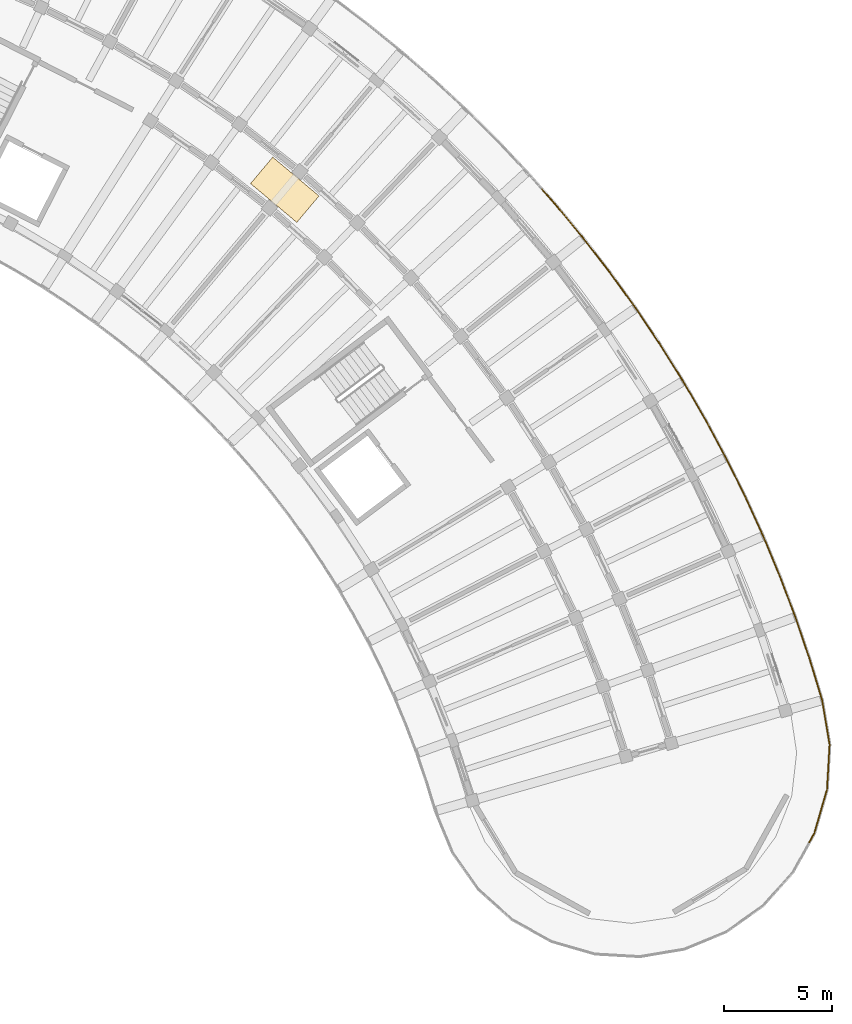
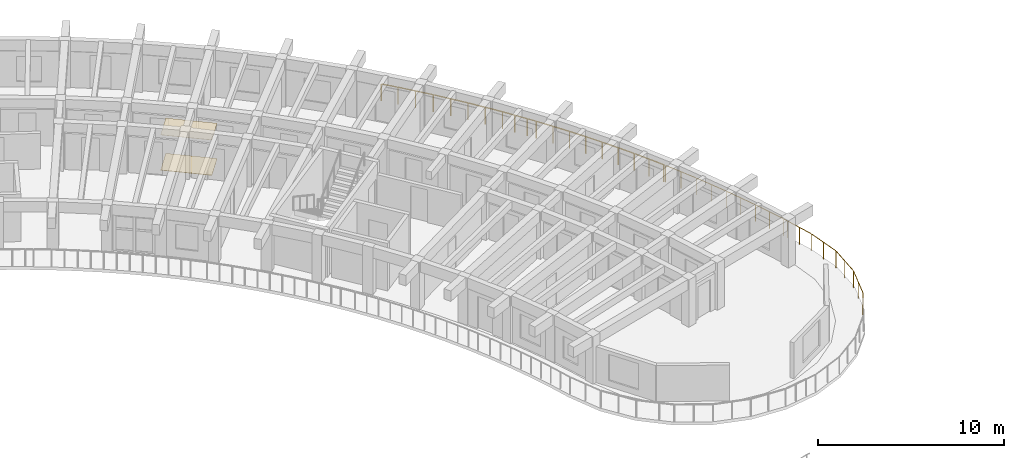
# One storey, part 79 of 81: 4 railings, 2 coverings.
"""IFC4 building model written with IfcOpenShell, lengths in metres."""

from ifc_helpers import new_model, si_unit, direction, frame, origin, origin_2d, place, context, subcontext, project, spatial, rectangle, circle, extrude, material, layer, layer_set, type_object, element, save


model = new_model("IFC4")

# Units and contexts
model_context = context("Model", 3, precision=1e-05, world=origin(), true_north=direction((0.0, 1.0)))
body_context = subcontext(model_context, "Body", "Model", "MODEL_VIEW")
ifc_project = project(units=[si_unit("LENGTHUNIT", "METRE"), si_unit("AREAUNIT", "SQUARE_METRE"), si_unit("VOLUMEUNIT", "CUBIC_METRE"), si_unit("PLANEANGLEUNIT", "RADIAN"), si_unit("MASSUNIT", "GRAM", prefix="KILO")], contexts=[model_context])

# Site, building, storey
site_placement = place(None, origin())
site = spatial("IfcSite", under=ifc_project, at=site_placement, CompositionType="ELEMENT")
building_placement = place(site_placement, origin())
building = spatial("IfcBuilding", under=site, at=building_placement, Name="Tanwirah Colonnade Gardens", CompositionType="ELEMENT")
storey_placement = place(building_placement, frame((0.0, 0.0, 8.840087890625)))
storey = spatial("IfcBuildingStorey", under=building, at=storey_placement, Name="L02", CompositionType="ELEMENT", Elevation=8.840087890625)

# Railings
ifc_material_1 = material(Name="Precast concrete C40/50", Category="concrete")
railing_type = type_object("IfcRailingType", Name="BAL-EXT112", PredefinedType="BALUSTRADE", material=ifc_material_1)
railing_1_placement = place(storey_placement, frame((166.9609375, 100.77978515625, 0.0)))
element("IfcRailing", 1, at=railing_1_placement, inside=storey, type_object=railing_type, Name="Block B L02 Balcony Ribbon Balustrade 16", PredefinedType="BALUSTRADE", context=body_context, shape_type="SweptSolid", body=[
    extrude(circle(Radius=0.02392578125, at=origin_2d()), frame((0.020751953125, -0.0234375, 1.09619140625), z_axis=(0.662540558748, -0.74902603961, 0.0), x_axis=(0.74902603961, 0.662540558748, 0.0)), (0.0, 0.0, 1.0), 0.885986328125),
    extrude(circle(Radius=0.02392578125, at=origin_2d()), frame((0.6484375, -0.734619140625, 1.09619140625), z_axis=(0.637555355491, -0.770404548717, 0.0), x_axis=(0.770404548717, 0.637555355491, 0.0)), (0.0, 0.0, 1.0), 1.958984375),
    extrude(circle(Radius=0.02392578125, at=origin_2d()), frame((1.936279296875, -2.29248046875, 1.09619140625), z_axis=(0.611856467608, -0.790968812942, 0.0), x_axis=(0.790968812942, 0.611856467608, 0.0)), (0.0, 0.0, 1.0), 1.958984375),
    extrude(circle(Radius=0.02392578125, at=origin_2d()), frame((3.17236328125, -3.89208984375, 1.09619140625), z_axis=(0.585468507287, -0.810695150457, 0.0), x_axis=(0.810695150457, 0.585468507287, 0.0)), (0.0, 0.0, 1.0), 1.958984375),
    extrude(circle(Radius=0.02392578125, at=origin_2d()), frame((4.35498046875, -5.531494140625, 1.09619140625), z_axis=(0.558332900228, -0.829617003516, 0.0), x_axis=(0.829617003516, 0.558332900228, 0.0)), (0.0, 0.0, 1.0), 1.424072265625),
    extrude(circle(Radius=0.02099609375, at=origin_2d()), origin(), (0.0, 0.0, 1.0), 1.069091796875),
    extrude(circle(Radius=0.02099609375, at=origin_2d()), frame((0.62841796875, -0.71044921875, 0.0)), (0.0, 0.0, 1.0), 1.069091796875),
    extrude(circle(Radius=0.02099609375, at=origin_2d()), frame((1.27294921875, -1.4892578125, 0.0)), (0.0, 0.0, 1.0), 1.069091796875),
    extrude(circle(Radius=0.02099609375, at=origin_2d()), frame((1.917236328125, -2.267822265625, 0.0)), (0.0, 0.0, 1.0), 1.069091796875),
    extrude(circle(Radius=0.02099609375, at=origin_2d()), frame((2.53564453125, -3.0673828125, 0.0)), (0.0, 0.0, 1.0), 1.069091796875),
    extrude(circle(Radius=0.02099609375, at=origin_2d()), frame((3.154052734375, -3.86669921875, 0.0)), (0.0, 0.0, 1.0), 1.069091796875),
    extrude(circle(Radius=0.02099609375, at=origin_2d()), frame((3.745849609375, -4.68603515625, 0.0)), (0.0, 0.0, 1.0), 1.069091796875),
    extrude(circle(Radius=0.02099609375, at=origin_2d()), frame((4.337646484375, -5.505615234375, 0.0)), (0.0, 0.0, 1.0), 1.069091796875),
    extrude(circle(Radius=0.02099609375, at=origin_2d()), frame((4.752685546875, -6.122314453125, 0.0)), (0.0, 0.0, 1.0), 1.069091796875),
    extrude(circle(Radius=0.02099609375, at=origin_2d()), frame((5.167724609375, -6.739013671875, 0.0)), (0.0, 0.0, 1.0), 1.069091796875),
])
railing_2_placement = place(storey_placement, frame((172.128662109375, 94.040771484375, 0.0)))
element("IfcRailing", 2, at=railing_2_placement, inside=storey, type_object=railing_type, Name="Block B L02 Balcony Ribbon Balustrade 17", PredefinedType="BALUSTRADE", context=body_context, shape_type="SweptSolid", body=[
    extrude(circle(Radius=0.02392578125, at=origin_2d()), frame((0.017578125, -0.02587890625, 1.09619140625), z_axis=(0.558382411213, -0.829583680437, 0.0), x_axis=(0.829583680437, 0.558382411213, 0.0)), (0.0, 0.0, 1.0), 0.47216796875),
    extrude(circle(Radius=0.02392578125, at=origin_2d()), frame((0.315185546875, -0.47021484375, 1.09619140625), z_axis=(0.530812919598, -0.847489023167, 0.0), x_axis=(0.847489023167, 0.530812919598, 0.0)), (0.0, 0.0, 1.0), 1.958984375),
    extrude(circle(Radius=0.02392578125, at=origin_2d()), frame((1.38720703125, -2.183837890625, 1.09619140625), z_axis=(0.502421024862, -0.864623105045, 0.0), x_axis=(0.864623105045, 0.502421024862, 0.0)), (0.0, 0.0, 1.0), 1.958984375),
    extrude(circle(Radius=0.02392578125, at=origin_2d()), frame((2.402099609375, -3.93212890625, 1.09619140625), z_axis=(0.473826102441, -0.88061843306, 0.0), x_axis=(0.88061843306, 0.473826102441, 0.0)), (0.0, 0.0, 1.0), 1.958740234375),
    extrude(circle(Radius=0.02392578125, at=origin_2d()), frame((3.35888671875, -5.712646484375, 1.09619140625), z_axis=(0.444437722231, -0.895809751598, 0.0), x_axis=(0.895809751598, 0.444437722231, 0.0)), (0.0, 0.0, 1.0), 1.838623046875),
    extrude(circle(Radius=0.02099609375, at=origin_2d()), origin(), (0.0, 0.0, 1.0), 1.069091796875),
    extrude(circle(Radius=0.02099609375, at=origin_2d()), frame((0.298583984375, -0.443603515625, 0.0)), (0.0, 0.0, 1.0), 1.069091796875),
    extrude(circle(Radius=0.02099609375, at=origin_2d()), frame((0.8349609375, -1.30029296875, 0.0)), (0.0, 0.0, 1.0), 1.069091796875),
    extrude(circle(Radius=0.02099609375, at=origin_2d()), frame((1.37158203125, -2.15673828125, 0.0)), (0.0, 0.0, 1.0), 1.069091796875),
    extrude(circle(Radius=0.02099609375, at=origin_2d()), frame((1.87939453125, -3.03076171875, 0.0)), (0.0, 0.0, 1.0), 1.069091796875),
    extrude(circle(Radius=0.02099609375, at=origin_2d()), frame((2.38720703125, -3.904541015625, 0.0)), (0.0, 0.0, 1.0), 1.069091796875),
    extrude(circle(Radius=0.02099609375, at=origin_2d()), frame((2.8662109375, -4.79443359375, 0.0)), (0.0, 0.0, 1.0), 1.069091796875),
    extrude(circle(Radius=0.02099609375, at=origin_2d()), frame((3.344970703125, -5.6845703125, 0.0)), (0.0, 0.0, 1.0), 1.069091796875),
    extrude(circle(Radius=0.02099609375, at=origin_2d()), frame((3.767578125, -6.5361328125, 0.0)), (0.0, 0.0, 1.0), 1.069091796875),
    extrude(circle(Radius=0.02099609375, at=origin_2d()), frame((4.18994140625, -7.3876953125, 0.0)), (0.0, 0.0, 1.0), 1.069091796875),
])
railing_3_placement = place(storey_placement, frame((176.318603515625, 86.653076171875, 0.0)))
element("IfcRailing", 3, at=railing_3_placement, inside=storey, type_object=railing_type, Name="Block B L02 Balcony Ribbon Balustrade 18", PredefinedType="BALUSTRADE", context=body_context, shape_type="SweptSolid", body=[
    extrude(circle(Radius=0.02392578125, at=origin_2d()), frame((0.013916015625, -0.028076171875, 1.09619140625), z_axis=(0.443967059849, -0.896043107093, 0.0), x_axis=(0.896043107093, 0.443967059849, 0.0)), (0.0, 0.0, 1.0), 0.057861328125),
    extrude(circle(Radius=0.02392578125, at=origin_2d()), frame((0.06640625, -0.136474609375, 1.09619140625), z_axis=(0.414749084938, -0.909935820013, 0.0), x_axis=(0.909935820013, 0.414749084938, 0.0)), (0.0, 0.0, 1.0), 1.958984375),
    extrude(circle(Radius=0.02392578125, at=origin_2d()), frame((0.90380859375, -1.97607421875, 1.09619140625), z_axis=(0.384409566544, -0.92316265368, 0.0), x_axis=(0.92316265368, 0.384409566544, 0.0)), (0.0, 0.0, 1.0), 1.958984375),
    extrude(circle(Radius=0.02392578125, at=origin_2d()), frame((1.679931640625, -3.8427734375, 1.09619140625), z_axis=(0.353874964852, -0.935292739869, 0.0), x_axis=(0.935292739869, 0.353874964852, 0.0)), (0.0, 0.0, 1.0), 1.958984375),
    extrude(circle(Radius=0.02392578125, at=origin_2d()), frame((2.394287109375, -5.733642578125, 1.09619140625), z_axis=(0.322850987486, -0.946449808431, 0.0), x_axis=(0.946449808431, 0.322850987486, 0.0)), (0.0, 0.0, 1.0), 1.958740234375),
    extrude(circle(Radius=0.02392578125, at=origin_2d()), frame((3.0458984375, -7.647216796875, 1.09619140625), z_axis=(0.290930071213, -0.956744319902, 0.0), x_axis=(0.956744319902, 0.290930071213, 0.0)), (0.0, 0.0, 1.0), 0.231201171875),
    extrude(circle(Radius=0.02099609375, at=origin_2d()), origin(), (0.0, 0.0, 1.0), 1.069091796875),
    extrude(circle(Radius=0.02099609375, at=origin_2d()), frame((0.053466796875, -0.10791015625, 0.0)), (0.0, 0.0, 1.0), 1.069091796875),
    extrude(circle(Radius=0.02099609375, at=origin_2d()), frame((0.47265625, -1.027587890625, 0.0)), (0.0, 0.0, 1.0), 1.069091796875),
    extrude(circle(Radius=0.02099609375, at=origin_2d()), frame((0.891845703125, -1.947265625, 0.0)), (0.0, 0.0, 1.0), 1.069091796875),
    extrude(circle(Radius=0.02099609375, at=origin_2d()), frame((1.2802734375, -2.88037109375, 0.0)), (0.0, 0.0, 1.0), 1.069091796875),
    extrude(circle(Radius=0.02099609375, at=origin_2d()), frame((1.6689453125, -3.8134765625, 0.0)), (0.0, 0.0, 1.0), 1.069091796875),
    extrude(circle(Radius=0.02099609375, at=origin_2d()), frame((2.026611328125, -4.7587890625, 0.0)), (0.0, 0.0, 1.0), 1.069091796875),
    extrude(circle(Radius=0.02099609375, at=origin_2d()), frame((2.38427734375, -5.7041015625, 0.0)), (0.0, 0.0, 1.0), 1.069091796875),
    extrude(circle(Radius=0.02099609375, at=origin_2d()), frame((2.71044921875, -6.66064453125, 0.0)), (0.0, 0.0, 1.0), 1.069091796875),
    extrude(circle(Radius=0.02099609375, at=origin_2d()), frame((3.036865234375, -7.6171875, 0.0)), (0.0, 0.0, 1.0), 1.069091796875),
    extrude(circle(Radius=0.02099609375, at=origin_2d()), frame((3.122314453125, -7.898193359375, 0.0)), (0.0, 0.0, 1.0), 1.069091796875),
])
railing_4_placement = place(storey_placement, frame((179.44091796875, 78.7548828125, 0.0)))
element("IfcRailing", 4, at=railing_4_placement, inside=storey, type_object=railing_type, Name="Block B L02 Balcony Ribbon Balustrade 19", PredefinedType="BALUSTRADE", context=body_context, shape_type="SweptSolid", body=[
    extrude(circle(Radius=0.02392578125, at=origin_2d()), frame((0.009033203125, -0.02978515625, 1.09619140625), z_axis=(0.29143772277, -0.956589804329, 0.0), x_axis=(0.956589804329, 0.29143772277, 0.0)), (0.0, 0.0, 1.0), 1.661376953125),
    extrude(circle(Radius=0.02392578125, at=origin_2d()), frame((0.507568359375, -1.679931640625, 1.09619140625), z_axis=(0.166292387508, -0.986076488847, 0.0), x_axis=(0.986076488847, 0.166292387508, 0.0)), (0.0, 0.0, 1.0), 2.028076171875),
    extrude(circle(Radius=0.02392578125, at=origin_2d()), frame((0.848388671875, -3.741943359375, 1.09619140625), z_axis=(-0.057322977065, -0.998355686266, 0.0), x_axis=(0.998355686266, -0.057322977065, 0.0)), (0.0, 0.0, 1.0), 2.0244140625),
    extrude(circle(Radius=0.02392578125, at=origin_2d()), frame((0.7216796875, -5.82421875, 1.09619140625), z_axis=(-0.277964335026, -0.960591395159, 0.0), x_axis=(0.960591395159, -0.277964335026, 0.0)), (0.0, 0.0, 1.0), 2.0244140625),
    extrude(circle(Radius=0.02392578125, at=origin_2d()), frame((0.13525390625, -7.826171875, 1.09619140625), z_axis=(-0.48479192052, -0.874629518024, 0.0), x_axis=(0.874629518024, -0.48479192052, 0.0)), (0.0, 0.0, 1.0), 0.44921875),
    extrude(circle(Radius=0.02099609375, at=origin_2d()), origin(), (0.0, 0.0, 1.0), 1.069091796875),
    extrude(circle(Radius=0.02099609375, at=origin_2d()), frame((0.251220703125, -0.82470703125, 0.0)), (0.0, 0.0, 1.0), 1.069091796875),
    extrude(circle(Radius=0.02099609375, at=origin_2d()), frame((0.50244140625, -1.649169921875, 0.0)), (0.0, 0.0, 1.0), 1.069091796875),
    extrude(circle(Radius=0.02099609375, at=origin_2d()), frame((0.67626953125, -2.679931640625, 0.0)), (0.0, 0.0, 1.0), 1.069091796875),
    extrude(circle(Radius=0.02099609375, at=origin_2d()), frame((0.85009765625, -3.710693359375, 0.0)), (0.0, 0.0, 1.0), 1.069091796875),
    extrude(circle(Radius=0.02099609375, at=origin_2d()), frame((0.790283203125, -4.75244140625, 0.0)), (0.0, 0.0, 1.0), 1.069091796875),
    extrude(circle(Radius=0.02099609375, at=origin_2d()), frame((0.73046875, -5.794189453125, 0.0)), (0.0, 0.0, 1.0), 1.069091796875),
    extrude(circle(Radius=0.02099609375, at=origin_2d()), frame((0.4404296875, -6.79638671875, 0.0)), (0.0, 0.0, 1.0), 1.069091796875),
    extrude(circle(Radius=0.02099609375, at=origin_2d()), frame((0.150390625, -7.798828125, 0.0)), (0.0, 0.0, 1.0), 1.069091796875),
    extrude(circle(Radius=0.02099609375, at=origin_2d()), frame((-0.09765625, -8.246337890625, 0.0)), (0.0, 0.0, 1.0), 1.069091796875),
])

# Coverings
ifc_material_2 = material(Name="Acoustic perforated gypsum ceiling board")
ifc_layer_1 = layer(ifc_material_2, 0.014892578125)
ifc_layer_set_1 = layer_set([ifc_layer_1], Name="Acoustic perforated gypsum ceiling board")
covering_type_1 = type_object("IfcCoveringType", Name="COV-CEIL15", PredefinedType="CEILING", material=ifc_layer_set_1)
covering_1_placement = place(storey_placement, frame((155.03564453125, 100.761962890625, 2.3125), z_axis=(0.0, 0.0, 1.0), x_axis=(-0.766044443119, 0.642787609687, 0.0)))
element("IfcCovering", 5, at=covering_1_placement, inside=storey, type_object=covering_type_1, Name="Block B L02 Corridor Acoustic Ceiling", PredefinedType="CEILING", context=body_context, shape_type="SweptSolid", body=[
    extrude(rectangle(XDim=2.800048828125, YDim=1.60009765625, at=origin_2d()), origin(), (0.0, 0.0, 1.0), 0.014892578125),
])
ifc_material_3 = material(Name="Honed Abu Dhabi limestone terrazzo flooring", Category="masonry")
ifc_layer_2 = layer(ifc_material_3, 0.02001953125)
ifc_layer_set_2 = layer_set([ifc_layer_2], Name="Honed Abu Dhabi limestone terrazzo flooring")
covering_type_2 = type_object("IfcCoveringType", Name="COV-FLR20", PredefinedType="FLOORING", material=ifc_layer_set_2)
covering_2_placement = place(storey_placement, frame((155.03564453125, 100.761962890625, 0.0), z_axis=(0.0, 0.0, 1.0), x_axis=(-0.766044443119, 0.642787609687, 0.0)))
element("IfcCovering", 6, at=covering_2_placement, inside=storey, type_object=covering_type_2, Name="Block B L02 Corridor Terrazzo Flooring", PredefinedType="FLOORING", context=body_context, shape_type="SweptSolid", body=[
    extrude(rectangle(XDim=2.800048828125, YDim=1.60009765625, at=origin_2d()), origin(), (0.0, 0.0, 1.0), 0.02001953125),
])

save(model, "model.ifc")
